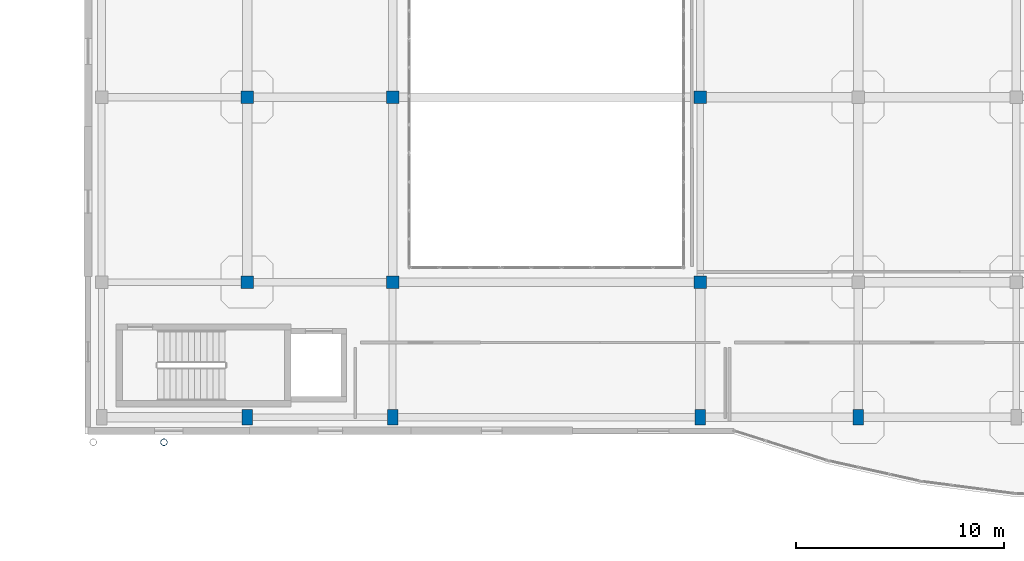
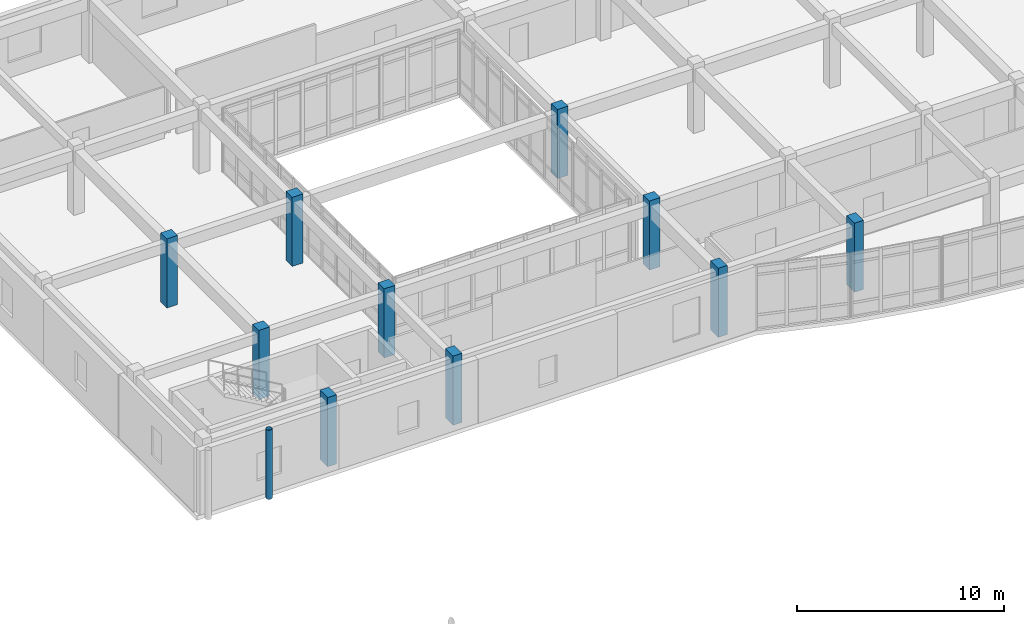
# One storey, part 11 of 91: 11 columns.
"""IFC4 building model written with IfcOpenShell, lengths in metres."""

import ifcopenshell
import ifcopenshell.guid

model = None  # the IFC model being written
_history = None  # IfcOwnerHistory: only IFC2X3 demands one
_inside = {}  # id of a spatial element -> (the spatial element, [elements in it])
_under = {}  # id of a project, library or spatial element -> (it, [spatial elements below it])
_declared = {}  # id of a project -> (the project, [libraries it declares])
_typed = {}  # id of a type object -> (the type object, [elements of that type])
_made_of = {}  # id of a material, layer set ... -> (it, [elements and type objects made of it])


def new_model(schema):
    """Start an empty IFC model of exactly this schema.

    Asked for "IFC4X3", IfcOpenShell would pick the latest addendum, in which some entities
    have other attributes; the version numbers below select the first issue.
    IFC2X3 requires an IfcOwnerHistory on every rooted entity: one is made here for all.
    """
    global model, _history
    if schema == "IFC4X3":
        model = ifcopenshell.file(schema_version=(4, 3, 0, 0))
    else:
        model = ifcopenshell.file(schema=schema)
    _inside.clear()
    _under.clear()
    _declared.clear()
    _typed.clear()
    _made_of.clear()
    _history = None
    if model.schema == "IFC2X3":
        org = make("IfcOrganization", Name="unknown")
        user = make(
            "IfcPersonAndOrganization",
            ThePerson=make("IfcPerson", FamilyName="unknown"),
            TheOrganization=org,
        )
        app = make(
            "IfcApplication",
            ApplicationDeveloper=org,
            Version="unknown",
            ApplicationFullName="unknown",
            ApplicationIdentifier="unknown",
        )
        _history = make(
            "IfcOwnerHistory",
            OwningUser=user,
            OwningApplication=app,
            ChangeAction="ADDED",
            CreationDate=0,
        )
    return model


def make(cls, **values):
    """One entity of the class cls with the attributes given. An attribute that is None is left unset."""
    return model.create_entity(
        cls, **{name: value for name, value in values.items() if value is not None}
    )


def rooted(cls, **values):
    """An entity with a GlobalId (a new one), such as an element, a storey or a relation."""
    return make(cls, GlobalId=ifcopenshell.guid.new(), OwnerHistory=_history, **values)


def si_unit(unit_type, name, prefix=None):
    """IfcSIUnit, for example si_unit("LENGTHUNIT", "METRE", prefix="MILLI")."""
    return make("IfcSIUnit", UnitType=unit_type, Prefix=prefix, Name=name)


def assignment(units):
    """IfcUnitAssignment: the units of a project."""
    return None if units is None else make("IfcUnitAssignment", Units=units)


def point(xyz):
    """IfcCartesianPoint."""
    return None if xyz is None else make("IfcCartesianPoint", Coordinates=xyz)


def direction(xyz):
    """IfcDirection."""
    return None if xyz is None else make("IfcDirection", DirectionRatios=xyz)


def frame(location, z_axis=None, x_axis=None):
    """IfcAxis2Placement3D, a coordinate frame: its origin and axes. An axis left out is left unset."""
    return make(
        "IfcAxis2Placement3D",
        Location=point(location),
        Axis=direction(z_axis),
        RefDirection=direction(x_axis),
    )


def frame_2d(location, x_axis=None):
    """IfcAxis2Placement2D, a coordinate frame in the plane: its origin and x axis."""
    return make(
        "IfcAxis2Placement2D", Location=point(location), RefDirection=direction(x_axis)
    )


def origin():
    """The frame at (0, 0, 0) with its axes left unset."""
    return frame((0.0, 0.0, 0.0))


def origin_2d():
    """The frame at (0, 0) in the plane with its x axis left unset."""
    return frame_2d((0.0, 0.0))


def place(relative_to, where):
    """IfcLocalPlacement: puts the frame where relative to a parent placement (None: the world)."""
    return make(
        "IfcLocalPlacement", PlacementRelTo=relative_to, RelativePlacement=where
    )


def context(
    kind, dimensions, precision=None, world=None, true_north=None, identifier=None
):
    """IfcGeometricRepresentationContext, for example the 3D "Model" context."""
    return make(
        "IfcGeometricRepresentationContext",
        ContextIdentifier=identifier,
        ContextType=kind,
        CoordinateSpaceDimension=dimensions,
        Precision=precision,
        WorldCoordinateSystem=world,
        TrueNorth=true_north,
    )


def subcontext(parent, identifier, kind, view, scale=None):
    """IfcGeometricRepresentationSubContext, for example "Body" below "Model"."""
    return make(
        "IfcGeometricRepresentationSubContext",
        ContextIdentifier=identifier,
        ContextType=kind,
        ParentContext=parent,
        TargetScale=scale,
        TargetView=view,
    )


def project(units=None, contexts=None):
    """IfcProject with its units and contexts."""
    return rooted(
        "IfcProject",
        Name="project",
        RepresentationContexts=contexts,
        UnitsInContext=assignment(units),
    )


def spatial(cls, under=None, at=None, **own):
    """A site, building, storey or space (cls), placed at a placement, below another one or the project."""
    s = rooted(cls, ObjectPlacement=at, **own)
    if under is not None:
        _under.setdefault(under.id(), (under, []))[1].append(s)
    return s


def profile(cls, at=None, kind="AREA", **sizes):
    """A parametric profile (cls). Its sizes go by their IFC names, for example OverallWidth=200.0."""
    return make(cls, ProfileType=kind, Position=at, **sizes)


def rectangle(**sizes):
    """IfcRectangleProfileDef."""
    return profile("IfcRectangleProfileDef", **sizes)


def hollow_circle(**sizes):
    """IfcCircleHollowProfileDef."""
    return profile("IfcCircleHollowProfileDef", **sizes)


def extrude(swept, where, along, depth):
    """IfcExtrudedAreaSolid: the profile swept, set in the frame where, extruded along a direction by depth."""
    return make(
        "IfcExtrudedAreaSolid",
        SweptArea=swept,
        Position=where,
        ExtrudedDirection=direction(along),
        Depth=depth,
    )


def shape(context_of_items, identifier, shape_type, items):
    """IfcShapeRepresentation: the items that make up one representation, for example the "Body"."""
    return make(
        "IfcShapeRepresentation",
        ContextOfItems=context_of_items,
        RepresentationIdentifier=identifier,
        RepresentationType=shape_type,
        Items=items,
    )


def material(Name=None, Category=None):
    """IfcMaterial."""
    return make("IfcMaterial", Name=Name, Category=Category)


def material_profile(
    of_material, cross_section, Name=None, Category=None, Priority=None
):
    """IfcMaterialProfile: a cross section and its material."""
    return make(
        "IfcMaterialProfile",
        Name=Name,
        Material=of_material,
        Profile=cross_section,
        Priority=Priority,
        Category=Category,
    )


def profile_set(profiles, Name=None, composite=None):
    """IfcMaterialProfileSet."""
    return make(
        "IfcMaterialProfileSet",
        Name=Name,
        MaterialProfiles=profiles,
        CompositeProfile=composite,
    )


def made_of(thing, what):
    """Note that an element or type object is made of a material, layer set ...; save() writes the relation."""
    if what is not None:
        _made_of.setdefault(what.id(), (what, []))[1].append(thing)
    return thing


def type_object(cls, material=None, **own):
    """A type object (cls), such as IfcWallType, which elements share."""
    return made_of(rooted(cls, **own), material)


def element(
    cls,
    number,
    at=None,
    inside=None,
    cuts=None,
    type_object=None,
    material=None,
    context=None,
    identifier="Body",
    shape_type=None,
    held_by="IfcProductDefinitionShape",
    body=None,
    shapes=None,
    **own,
):
    """One element of the class cls, such as IfcWall. Its Tag is "e" and its number.

    at: its placement. inside: the storey or other place that contains it. cuts: it is an
    opening in that element (IfcRelVoidsElement). A single representation is given by context,
    identifier, shape_type and body (its items); several are given by shapes. held_by: the class
    of the entity that holds the representations. save() writes the other relations.
    """
    e = rooted(cls, Tag="e%d" % number, ObjectPlacement=at, **own)
    if body is not None:
        shapes = [shape(context, identifier, shape_type, body)]
    if shapes is not None:
        e.Representation = make(held_by, Representations=shapes)
    if inside is not None:
        _inside.setdefault(inside.id(), (inside, []))[1].append(e)
    if cuts is not None:
        rooted(
            "IfcRelVoidsElement", RelatingBuildingElement=cuts, RelatedOpeningElement=e
        )
    if type_object is not None:
        _typed.setdefault(type_object.id(), (type_object, []))[1].append(e)
    return made_of(e, material)


def aggregate(whole, parts):
    """IfcRelAggregates: a whole, such as a stair, and the parts it consists of."""
    return rooted("IfcRelAggregates", RelatingObject=whole, RelatedObjects=parts)


def save(model, path):
    """Write the relations noted so far, then the file.

    IfcRelAggregates (storeys below a building ...), IfcRelContainedInSpatialStructure (elements
    in a storey), IfcRelDefinesByType, IfcRelAssociatesMaterial and IfcRelDeclares: one each for
    every whole, place, type object, material and project.
    """
    for whole, parts in _under.values():
        aggregate(whole, parts)
    for where, things in _inside.values():
        rooted(
            "IfcRelContainedInSpatialStructure",
            RelatedElements=things,
            RelatingStructure=where,
        )
    for kind, things in _typed.values():
        rooted("IfcRelDefinesByType", RelatedObjects=things, RelatingType=kind)
    for what, things in _made_of.values():
        rooted("IfcRelAssociatesMaterial", RelatedObjects=things, RelatingMaterial=what)
    for by, libraries in _declared.values():
        rooted("IfcRelDeclares", RelatingContext=by, RelatedDefinitions=libraries)
    model.write(path)


model = new_model("IFC4")

# Units and contexts
model_context = context("Model", 3, precision=1e-05, world=origin(), true_north=direction((0.0, 1.0)))
body_context = subcontext(model_context, "Body", "Model", "MODEL_VIEW")
ifc_project = project(units=[si_unit("LENGTHUNIT", "METRE"), si_unit("AREAUNIT", "SQUARE_METRE"), si_unit("VOLUMEUNIT", "CUBIC_METRE"), si_unit("PLANEANGLEUNIT", "RADIAN"), si_unit("MASSUNIT", "GRAM", prefix="KILO")], contexts=[model_context])

# Site, building, storey
site_placement = place(None, origin())
site = spatial("IfcSite", under=ifc_project, at=site_placement, CompositionType="ELEMENT")
building_placement = place(site_placement, origin())
building = spatial("IfcBuilding", under=site, at=building_placement, Name="Valcora Specialist Clinic", CompositionType="ELEMENT")
storey_placement = place(building_placement, frame((0.0, 0.0, 13.60009765625)))
storey = spatial("IfcBuildingStorey", under=building, at=storey_placement, Name="L03", CompositionType="ELEMENT", Elevation=13.60009765625)

# Columns
ifc_material_1 = material(Name="Steel ASTM A500 Grade C", Category="steel")
ifc_material_profile_1 = material_profile(ifc_material_1, hollow_circle(Radius=0.162109375, WallThickness=0.011962890625, at=origin_2d()), Name="ST-CHS-324X12")
ifc_profile_set_1 = profile_set([ifc_material_profile_1], Name="Steel ASTM A500 Grade C")
column_type_1 = type_object("IfcColumnType", Name="TY-COL-CHS324", PredefinedType="COLUMN", material=ifc_profile_set_1)
column_placement = place(storey_placement, frame((65.0, 73.60009765625, 0.0), z_axis=(0.0, 0.0, 1.0), x_axis=(1.0, 0.0, 0.0)))
element("IfcColumn", 1, at=column_placement, inside=storey, type_object=column_type_1, Name="Column COL-L03-1005", PredefinedType="COLUMN", context=body_context, shape_type="SweptSolid", body=[
    extrude(hollow_circle(Radius=0.162109375, WallThickness=0.011962890625, at=origin_2d()), origin(), (0.0, 0.0, 1.0), 4.079833984375),
])
ifc_material_2 = material(Name="Concrete C40/50", Category="concrete")
ifc_material_profile_2 = material_profile(ifc_material_2, rectangle(XDim=0.5, YDim=0.75, at=origin_2d()), Name="RC-COL-500X750")
ifc_profile_set_2 = profile_set([ifc_material_profile_2], Name="Concrete C40/50")
column_type_2 = type_object("IfcColumnType", Name="TY-COL-RC500X750", PredefinedType="COLUMN", material=ifc_profile_set_2)
for number, where, z_axis, x_axis, name in (
    (2, (69.0, 74.800048828125, 0.0), (0.0, 0.0, 1.0), (1.0, 0.0, 0.0), "Column COL-L03-0330"),
    (3, (76.0, 74.800048828125, 0.0), (0.0, 0.0, 1.0), (1.0, 0.0, 0.0), "Column COL-L03-0355"),
    (4, (90.800048828125, 74.800048828125, 0.0), (0.0, 0.0, 1.0), (1.0, 0.0, 0.0), "Column COL-L03-0380"),
    (5, (98.39990234375, 74.800048828125, 0.0), (0.0, 0.0, 1.0), (1.0, 0.0, 0.0), "Column COL-L03-0405"),
):
    element("IfcColumn", number, at=place(storey_placement, frame(where, z_axis=z_axis, x_axis=x_axis)), inside=storey, type_object=column_type_2, Name=name, PredefinedType="COLUMN", context=body_context, shape_type="SweptSolid", body=[
        extrude(rectangle(XDim=0.5, YDim=0.75, at=origin_2d()), origin(), (0.0, 0.0, 1.0), 4.079833984375),
    ])
ifc_material_profile_3 = material_profile(ifc_material_2, rectangle(XDim=0.60009765625, YDim=0.60009765625, at=origin_2d()), Name="RC-COL-600X600")
ifc_profile_set_3 = profile_set([ifc_material_profile_3], Name="Concrete C40/50")
column_type_3 = type_object("IfcColumnType", Name="TY-COL-RC600", PredefinedType="COLUMN", material=ifc_profile_set_3)
for number, where, z_axis, x_axis, name in (
    (6, (69.0, 81.300048828125, 0.0), (0.0, 0.0, 1.0), (1.0, 0.0, 0.0), "Column COL-L03-0335"),
    (7, (69.0, 90.199951171875, 0.0), (0.0, 0.0, 1.0), (1.0, 0.0, 0.0), "Column COL-L03-0340"),
    (8, (76.0, 81.300048828125, 0.0), (0.0, 0.0, 1.0), (1.0, 0.0, 0.0), "Column COL-L03-0360"),
    (9, (76.0, 90.199951171875, 0.0), (0.0, 0.0, 1.0), (1.0, 0.0, 0.0), "Column COL-L03-0365"),
    (10, (90.800048828125, 81.300048828125, 0.0), (0.0, 0.0, 1.0), (1.0, 0.0, 0.0), "Column COL-L03-0385"),
    (11, (90.800048828125, 90.199951171875, 0.0), (0.0, 0.0, 1.0), (1.0, 0.0, 0.0), "Column COL-L03-0390"),
):
    element("IfcColumn", number, at=place(storey_placement, frame(where, z_axis=z_axis, x_axis=x_axis)), inside=storey, type_object=column_type_3, Name=name, PredefinedType="COLUMN", context=body_context, shape_type="SweptSolid", body=[
        extrude(rectangle(XDim=0.60009765625, YDim=0.60009765625, at=origin_2d()), origin(), (0.0, 0.0, 1.0), 4.079833984375),
    ])

save(model, "model.ifc")
